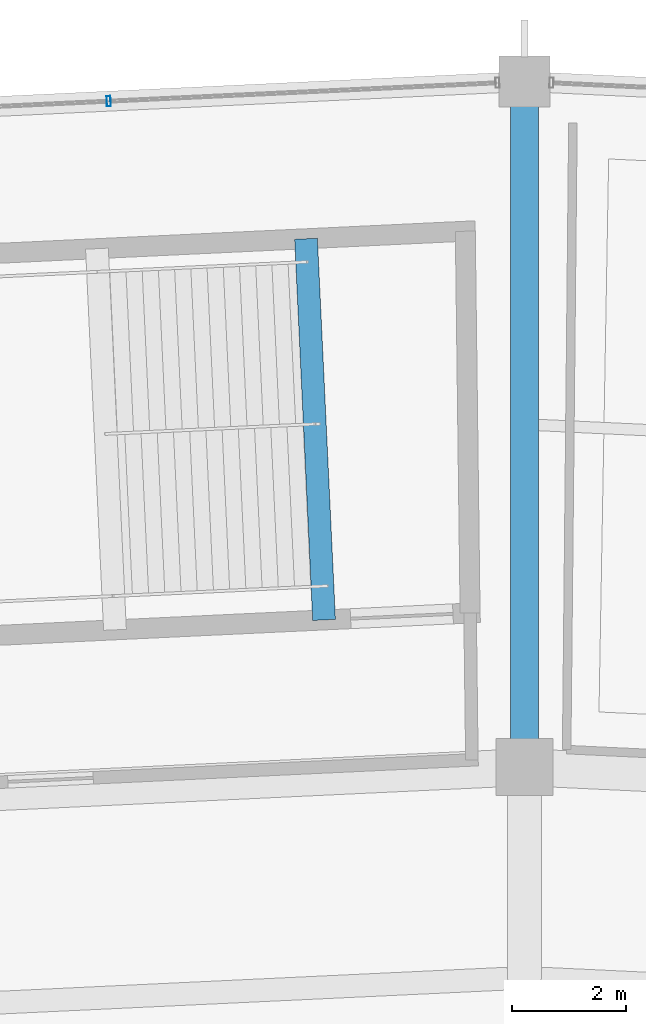
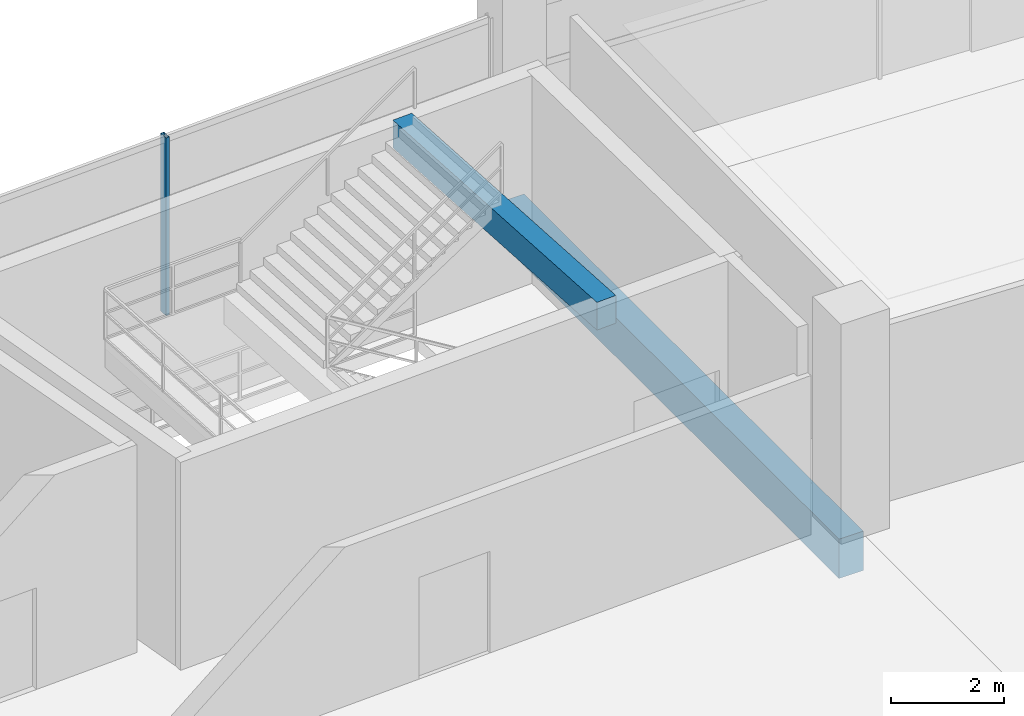
# One storey, part 83 of 156: 2 beams, 1 member, 1 element without a shape of its own.
"""IFC4 building model written with IfcOpenShell, lengths in metres."""

from ifc_helpers import new_model, si_unit, direction, frame, origin, origin_2d, place, context, subcontext, project, spatial, rectangle, hollow_rectangle, extrude, material, layer, layer_set, material_profile, profile_set, type_object, element, aggregate, save


model = new_model("IFC4")

# Units and contexts
model_context = context("Model", 3, precision=1e-05, world=origin(), true_north=direction((0.0, 1.0)))
body_context = subcontext(model_context, "Body", "Model", "MODEL_VIEW")
ifc_project = project(units=[si_unit("LENGTHUNIT", "METRE"), si_unit("AREAUNIT", "SQUARE_METRE"), si_unit("VOLUMEUNIT", "CUBIC_METRE"), si_unit("PLANEANGLEUNIT", "RADIAN"), si_unit("MASSUNIT", "GRAM", prefix="KILO")], contexts=[model_context])

# Site, building, storey
site_placement = place(None, origin())
site = spatial("IfcSite", under=ifc_project, at=site_placement, CompositionType="ELEMENT")
building_placement = place(site_placement, origin())
building = spatial("IfcBuilding", under=site, at=building_placement, Name="Kazemori Nagisa Stadium", CompositionType="ELEMENT")
storey_placement = place(building_placement, frame((0.0, 0.0, 5.780029296875)))
storey = spatial("IfcBuildingStorey", under=building, at=storey_placement, Name="L01", CompositionType="ELEMENT", Elevation=5.780029296875)

# Beams
ifc_material_1 = material(Name="Concrete C40/50 (Fc42)", Category="concrete")
ifc_material_profile_1 = material_profile(ifc_material_1, rectangle(XDim=0.39990234375, YDim=0.60009765625, at=origin_2d()), Name="RC-BM-400x600")
ifc_profile_set_1 = profile_set([ifc_material_profile_1], Name="Concrete C40/50 (Fc42)")
beam_type_1 = type_object("IfcBeamType", Name="Beam_BG-LND400X600", PredefinedType="BEAM", material=ifc_profile_set_1)
beam_1_placement = place(storey_placement, frame((119.48046875, 178.545654296875, 4.199951171875), z_axis=(-0.047222374852, 0.998884401377, 0.0), x_axis=(-0.998884401377, -0.047222374852, 0.0)))
element("IfcBeam", 1, at=beam_1_placement, inside=storey, type_object=beam_type_1, Name="Core stair arrival header girder ST05-L01", PredefinedType="BEAM", context=body_context, shape_type="SweptSolid", body=[
    extrude(rectangle(XDim=0.39990234375, YDim=0.60009765625, at=origin_2d()), origin(), (0.0, 0.0, 1.0), 6.700439453125),
])
ifc_material_profile_2 = material_profile(ifc_material_1, rectangle(XDim=0.5, YDim=0.85009765625, at=origin_2d()), Name="RC-BM-500x850")
ifc_profile_set_2 = profile_set([ifc_material_profile_2], Name="Concrete C40/50 (Fc42)")
beam_type_2 = type_object("IfcBeamType", Name="Beam_BG-RC500X850", PredefinedType="BEAM", material=ifc_profile_set_2)
beam_2_placement = place(storey_placement, frame((123.0, 175.9599609375, -0.705078125), z_axis=(0.0, 1.0, 0.0), x_axis=(-1.0, 0.0, 0.0)))
element("IfcBeam", 2, at=beam_2_placement, inside=storey, type_object=beam_type_2, Name="Radial girder BG-RC500X850 L01 R2-R3-08", PredefinedType="BEAM", context=body_context, shape_type="SweptSolid", body=[
    extrude(rectangle(XDim=0.5, YDim=0.85009765625, at=origin_2d()), origin(), (0.0, 0.0, 1.0), 12.0400390625),
])

# Curtain wall, member
ifc_material_2 = material(Name="Anodised aluminium 6063-T5", Category="aluminium")
ifc_layer = layer(ifc_material_2, 0.179931640625, Name="Anodised aluminium 6063-T5", Category="aluminium")
ifc_layer_set = layer_set([ifc_layer], Name="Anodised aluminium 6063-T5")
curtain_wall_type = type_object("IfcCurtainWallType", Name="CW_L01R3_103", PredefinedType="USERDEFINED", material=ifc_layer_set)
curtain_wall_placement = place(storey_placement, origin())
curtain_wall = element("IfcCurtainWall", 3, at=curtain_wall_placement, inside=storey, type_object=curtain_wall_type, Name="Unitised curtain wall CW-L01R3-103 L01", ObjectType="UNITISED CURTAIN WALL", PredefinedType="USERDEFINED")
ifc_material_3 = material(Name="Aluminium 6063-T5 anodised", Category="aluminium")
ifc_material_profile_3 = material_profile(ifc_material_3, hollow_rectangle(XDim=0.070068359375, YDim=0.179931640625, WallThickness=0.00390625, at=origin_2d()), Name="ALU-MULL-70x180x4")
ifc_profile_set_3 = profile_set([ifc_material_profile_3], Name="Aluminium 6063-T5 anodised")
member_type = type_object("IfcMemberType", Name="Mullion_M01", PredefinedType="MULLION", material=ifc_profile_set_3)
member_placement = place(storey_placement, frame((115.69921875, 187.65478515625, 0.0), z_axis=(0.0, 0.0, 1.0), x_axis=(-0.998884022476, -0.047230388971, 0.0)))
member = element("IfcMember", 4, at=member_placement, type_object=member_type, Name="Curtain wall mullion CW-L01R3-103-M2", PredefinedType="MULLION", context=body_context, shape_type="SweptSolid", body=[
    extrude(hollow_rectangle(XDim=0.070068359375, YDim=0.179931640625, WallThickness=0.00390625, at=origin_2d()), origin(), (0.0, 0.0, 1.0), 3.849853515625),
])
aggregate(curtain_wall, [member])

save(model, "model.ifc")
